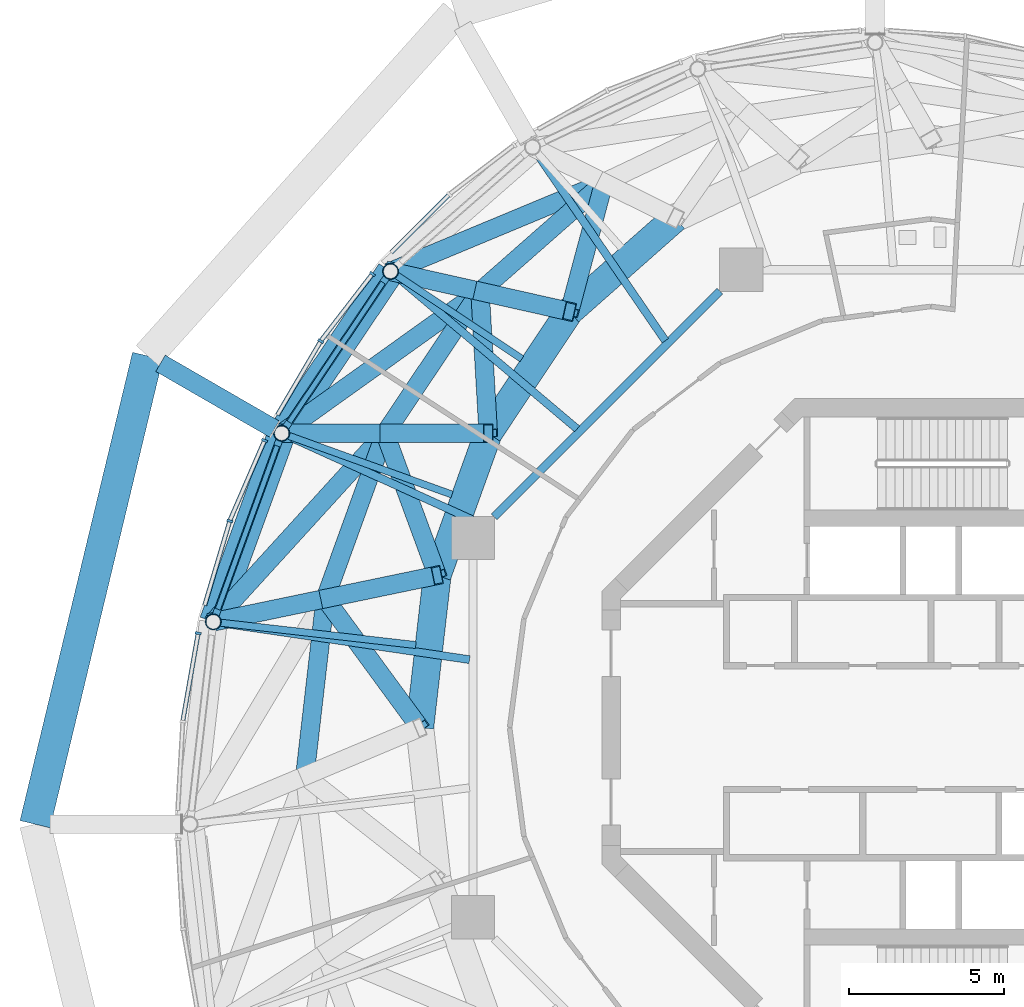
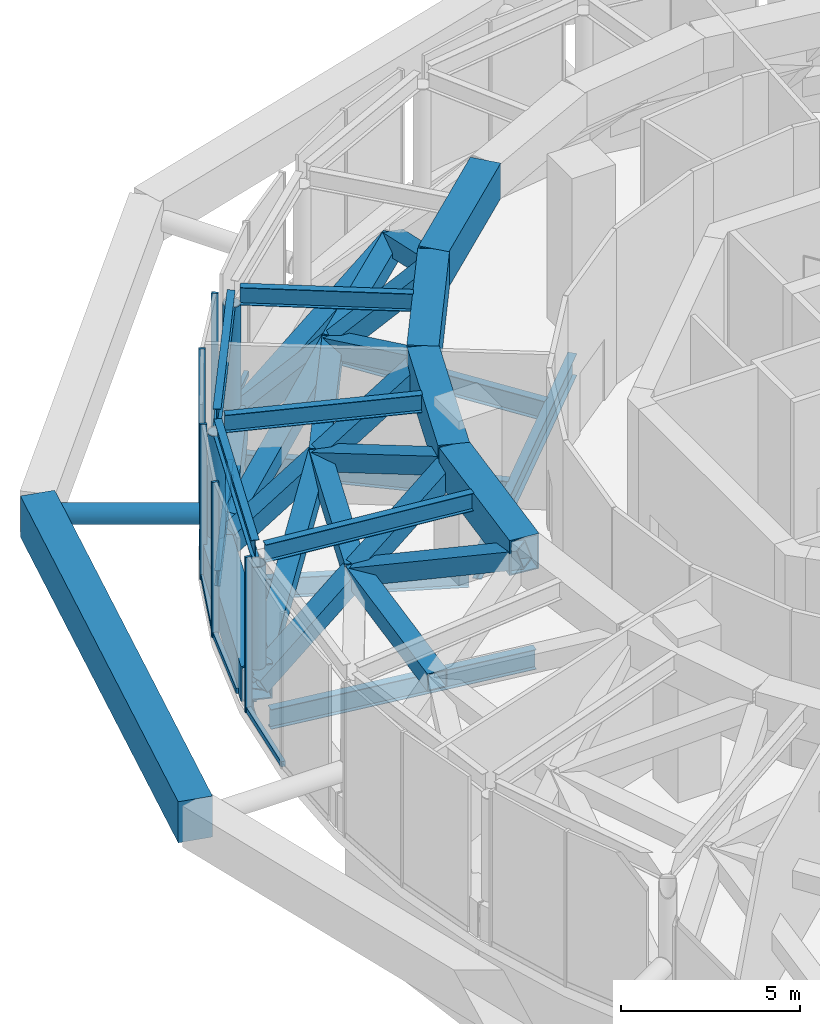
# One storey, part 7 of 22: 35 beams, 16 members, 6 elements without a shape of their own.
"""IFC4 building model written with IfcOpenShell, lengths in metres."""

from ifc_helpers import new_model, si_unit, direction, frame, origin, origin_2d, place, context, subcontext, project, spatial, rectangle, hollow_rectangle, hollow_circle, i_section, extrude, material, layer, layer_set, material_profile, profile_set, type_object, element, aggregate, save


model = new_model("IFC4")

# Units and contexts
model_context = context("Model", 3, precision=1e-05, world=origin(), true_north=direction((0.0, 1.0)))
body_context = subcontext(model_context, "Body", "Model", "MODEL_VIEW")
ifc_project = project(units=[si_unit("LENGTHUNIT", "METRE"), si_unit("AREAUNIT", "SQUARE_METRE"), si_unit("VOLUMEUNIT", "CUBIC_METRE"), si_unit("PLANEANGLEUNIT", "RADIAN"), si_unit("MASSUNIT", "GRAM", prefix="KILO")], contexts=[model_context])

# Site, building, storey
site_placement = place(None, origin())
site = spatial("IfcSite", under=ifc_project, at=site_placement, CompositionType="ELEMENT")
building_placement = place(site_placement, origin())
building = spatial("IfcBuilding", under=site, at=building_placement, Name="Nagisa Residences", CompositionType="ELEMENT")
storey_placement = place(building_placement, frame((0.0, 0.0, 310.300048828125)))
storey = spatial("IfcBuildingStorey", under=building, at=storey_placement, Name="L77", CompositionType="ELEMENT", Elevation=310.300048828125)

# Beams
ifc_material_1 = material(Name="Steel ASTM A572 Gr 50", Category="steel")
ifc_material_profile_1 = material_profile(ifc_material_1, hollow_rectangle(XDim=0.60009765625, YDim=0.60009765625, WallThickness=0.034912109375, at=origin_2d()), Name="BX 600x600x35")
ifc_profile_set_1 = profile_set([ifc_material_profile_1], Name="Steel ASTM A572 Gr 50")
beam_type_1 = type_object("IfcBeamType", Name="Belt chord 6 BX 600x600x35", PredefinedType="BEAM", material=ifc_profile_set_1)
beam_1_placement = place(storey_placement, frame((-10.554931640625, 17.59765625, 2.64990234375), z_axis=(-0.751083596494, -0.660207112259, 0.0), x_axis=(0.660207112259, -0.751083596494, 0.0)))
element("IfcBeam", 1, at=beam_1_placement, inside=storey, type_object=beam_type_1, Name="beam:L77:bt6m09", PredefinedType="BEAM", context=body_context, shape_type="SweptSolid", body=[
    extrude(hollow_rectangle(XDim=0.60009765625, YDim=0.60009765625, WallThickness=0.034912109375, at=origin_2d()), origin(), (0.0, 0.0, 1.0), 5.32470703125),
])
beam_2_placement = place(storey_placement, frame((-14.55419921875, 14.082275390625, 2.64990234375), z_axis=(-0.556558433262, -0.830808467918, 0.0), x_axis=(0.830808467918, -0.556558433262, 0.0)))
element("IfcBeam", 2, at=beam_2_placement, inside=storey, type_object=beam_type_1, Name="beam:L77:bt6m10", PredefinedType="BEAM", context=body_context, shape_type="SweptSolid", body=[
    extrude(hollow_rectangle(XDim=0.60009765625, YDim=0.60009765625, WallThickness=0.034912109375, at=origin_2d()), origin(), (0.0, 0.0, 1.0), 5.513916015625),
])
beam_3_placement = place(storey_placement, frame((-17.623046875, 9.501220703125, 2.64990234375), z_axis=(-0.340025147767, -0.940416343375, 0.0), x_axis=(0.940416343375, -0.340025147767, 0.0)))
element("IfcBeam", 3, at=beam_3_placement, inside=storey, type_object=beam_type_1, Name="beam:L77:bt6m11", PredefinedType="BEAM", context=body_context, shape_type="SweptSolid", body=[
    extrude(hollow_rectangle(XDim=0.60009765625, YDim=0.60009765625, WallThickness=0.034912109375, at=origin_2d()), origin(), (0.0, 0.0, 1.0), 5.673095703125),
])
beam_4_placement = place(storey_placement, frame((-19.552001953125, 4.166259765625, 2.64990234375), z_axis=(-0.114173851429, -0.99346078516, 0.0), x_axis=(0.99346078516, -0.114173851429, 0.0)))
element("IfcBeam", 4, at=beam_4_placement, inside=storey, type_object=beam_type_1, Name="beam:L77:bt6m12", PredefinedType="BEAM", context=body_context, shape_type="SweptSolid", body=[
    extrude(hollow_rectangle(XDim=0.60009765625, YDim=0.60009765625, WallThickness=0.034912109375, at=origin_2d()), origin(), (0.0, 0.0, 1.0), 5.7626953125),
])
ifc_material_2 = material(Name="Steel ASTM A572 Gr 50", Category="steel")
ifc_material_profile_2 = material_profile(ifc_material_2, hollow_rectangle(XDim=0.89990234375, YDim=1.199951171875, WallThickness=0.0400390625, at=origin_2d()), Name="BX 900x1200x40")
ifc_profile_set_2 = profile_set([ifc_material_profile_2], Name="Steel ASTM A572 Gr 50")
beam_type_2 = type_object("IfcBeamType", Name="Belt chord 6 BX 900x1200x40", PredefinedType="BEAM", material=ifc_profile_set_2)
beam_5_placement = place(storey_placement, frame((-8.25, 16.45458984375, 4.699951171875), z_axis=(-0.749367388162, -0.662154451438, 0.0), x_axis=(0.662154451438, -0.749367388162, 0.0)))
element("IfcBeam", 5, at=beam_5_placement, inside=storey, type_object=beam_type_2, Name="beam:L77:bt6t09", PredefinedType="BEAM", context=body_context, shape_type="SweptSolid", body=[
    extrude(hollow_rectangle(XDim=0.89990234375, YDim=1.199951171875, WallThickness=0.0400390625, at=origin_2d()), origin(), (0.0, 0.0, 1.0), 4.56005859375),
])
beam_6_placement = place(storey_placement, frame((-17.441162109375, 14.729736328125, 0.599853515625), z_axis=(-0.558031639604, -0.8298196727, 0.0), x_axis=(0.8298196727, -0.558031639604, 0.0)))
element("IfcBeam", 6, at=beam_6_placement, inside=storey, type_object=beam_type_2, Name="beam:L77:bt6b10", PredefinedType="BEAM", context=body_context, shape_type="SweptSolid", body=[
    extrude(hollow_rectangle(XDim=0.89990234375, YDim=1.199951171875, WallThickness=0.0400390625, at=origin_2d()), origin(), (0.0, 0.0, 1.0), 6.299560546875),
])
beam_7_placement = place(storey_placement, frame((-11.667236328125, 13.43505859375, 4.699951171875), z_axis=(-0.554509546669, -0.832177362497, 0.0), x_axis=(0.832177362497, -0.554509546669, 0.0)))
element("IfcBeam", 7, at=beam_7_placement, inside=storey, type_object=beam_type_2, Name="beam:L77:bt6t10", PredefinedType="BEAM", context=body_context, shape_type="SweptSolid", body=[
    extrude(hollow_rectangle(XDim=0.89990234375, YDim=1.199951171875, WallThickness=0.0400390625, at=origin_2d()), origin(), (0.0, 0.0, 1.0), 4.728515625),
])
beam_8_placement = place(storey_placement, frame((-20.95654296875, 9.502197265625, 0.599853515625), z_axis=(-0.341213297121, -0.939985896632, 0.0), x_axis=(0.939985896632, -0.341213297121, 0.0)))
element("IfcBeam", 8, at=beam_8_placement, inside=storey, type_object=beam_type_2, Name="beam:L77:bt6b11", PredefinedType="BEAM", context=body_context, shape_type="SweptSolid", body=[
    extrude(hollow_rectangle(XDim=0.89990234375, YDim=1.199951171875, WallThickness=0.0400390625, at=origin_2d()), origin(), (0.0, 0.0, 1.0), 6.47607421875),
])
beam_9_placement = place(storey_placement, frame((-14.289306640625, 9.5, 4.699951171875), z_axis=(-0.338488682224, -0.940970462877, 0.0), x_axis=(0.940970462877, -0.338488682224, 0.0)))
element("IfcBeam", 9, at=beam_9_placement, inside=storey, type_object=beam_type_2, Name="beam:L77:bt6t11", PredefinedType="BEAM", context=body_context, shape_type="SweptSolid", body=[
    extrude(hollow_rectangle(XDim=0.89990234375, YDim=1.199951171875, WallThickness=0.0400390625, at=origin_2d()), origin(), (0.0, 0.0, 1.0), 4.869873046875),
])
beam_10_placement = place(storey_placement, frame((-15.937744140625, 4.91748046875, 4.699951171875), z_axis=(-0.113598063475, -0.993526788756, 0.0), x_axis=(0.993526788756, -0.113598063475, 0.0)))
element("IfcBeam", 10, at=beam_10_placement, inside=storey, type_object=beam_type_2, Name="beam:L77:bt6t12", PredefinedType="BEAM", context=body_context, shape_type="SweptSolid", body=[
    extrude(hollow_rectangle(XDim=0.89990234375, YDim=1.199951171875, WallThickness=0.0400390625, at=origin_2d()), origin(), (0.0, 0.0, 1.0), 4.949462890625),
])
ifc_material_3 = material(Name="Steel ASTM A572 Gr 50", Category="steel")
ifc_material_profile_3 = material_profile(ifc_material_3, hollow_rectangle(XDim=0.60009765625, YDim=0.60009765625, WallThickness=0.034912109375, at=origin_2d()), Name="BX 600x600x35")
ifc_profile_set_3 = profile_set([ifc_material_profile_3], Name="Steel ASTM A572 Gr 50")
beam_type_3 = type_object("IfcBeamType", Name="Belt diagonal 6 BX 600x600x35", PredefinedType="BEAM", material=ifc_profile_set_3)
beam_11_placement = place(storey_placement, frame((-17.441162109375, 14.729736328125, 0.599853515625), z_axis=(0.890137979794, 0.370717253373, 0.264996405599), x_axis=(-0.384462000649, 0.923140818108, 0.0)))
element("IfcBeam", 11, at=beam_11_placement, inside=storey, type_object=beam_type_3, Name="beam:L77:bt6lb09", PredefinedType="BEAM", context=body_context, shape_type="SweptSolid", body=[
    extrude(hollow_rectangle(XDim=0.60009765625, YDim=0.60009765625, WallThickness=0.034912109375, at=origin_2d()), origin(), (0.0, 0.0, 1.0), 7.736083984375),
])
beam_12_placement = place(storey_placement, frame((-10.554931640625, 17.59765625, 2.64990234375), z_axis=(-0.233114623073, -0.872389008647, 0.429645190945), x_axis=(0.966103148525, -0.258156360392, 0.0)))
element("IfcBeam", 12, at=beam_12_placement, inside=storey, type_object=beam_type_3, Name="beam:L77:bt6ub09", PredefinedType="BEAM", context=body_context, shape_type="SweptSolid", body=[
    extrude(hollow_rectangle(XDim=0.60009765625, YDim=0.60009765625, WallThickness=0.034912109375, at=origin_2d()), origin(), (0.0, 0.0, 1.0), 4.771484375),
])
beam_13_placement = place(storey_placement, frame((-17.441162109375, 14.729736328125, 0.599853515625), z_axis=(0.802043663719, -0.179874824201, 0.569535783869), x_axis=(0.218834728316, 0.975761939042, 0.0)))
element("IfcBeam", 13, at=beam_13_placement, inside=storey, type_object=beam_type_3, Name="beam:L77:bt6la10", PredefinedType="BEAM", context=body_context, shape_type="SweptSolid", body=[
    extrude(hollow_rectangle(XDim=0.60009765625, YDim=0.60009765625, WallThickness=0.034912109375, at=origin_2d()), origin(), (0.0, 0.0, 1.0), 3.599609375),
])
beam_14_placement = place(storey_placement, frame((-20.95654296875, 9.502197265625, 0.599853515625), z_axis=(0.787062113249, 0.563044739344, 0.252019545643), x_axis=(-0.581824796142, 0.813314150002, 0.0)))
element("IfcBeam", 14, at=beam_14_placement, inside=storey, type_object=beam_type_3, Name="beam:L77:bt6lb10", PredefinedType="BEAM", context=body_context, shape_type="SweptSolid", body=[
    extrude(hollow_rectangle(XDim=0.60009765625, YDim=0.60009765625, WallThickness=0.034912109375, at=origin_2d()), origin(), (0.0, 0.0, 1.0), 8.134521484375),
])
beam_15_placement = place(storey_placement, frame((-14.55419921875, 14.082275390625, 2.64990234375), z_axis=(0.802053447153, -0.179809191408, 0.569542731141), x_axis=(0.218756160943, 0.975779556073, 0.0)))
element("IfcBeam", 15, at=beam_15_placement, inside=storey, type_object=beam_type_3, Name="beam:L77:bt6ua10", PredefinedType="BEAM", context=body_context, shape_type="SweptSolid", body=[
    extrude(hollow_rectangle(XDim=0.60009765625, YDim=0.60009765625, WallThickness=0.034912109375, at=origin_2d()), origin(), (0.0, 0.0, 1.0), 3.599365234375),
])
beam_16_placement = place(storey_placement, frame((-14.55419921875, 14.082275390625, 2.64990234375), z_axis=(0.052694607283, -0.911543856307, 0.407812550557), x_axis=(0.998333288662, 0.057711738409, 0.0)))
element("IfcBeam", 16, at=beam_16_placement, inside=storey, type_object=beam_type_3, Name="beam:L77:bt6ub10", PredefinedType="BEAM", context=body_context, shape_type="SweptSolid", body=[
    extrude(hollow_rectangle(XDim=0.60009765625, YDim=0.60009765625, WallThickness=0.034912109375, at=origin_2d()), origin(), (0.0, 0.0, 1.0), 5.02685546875),
])
beam_17_placement = place(storey_placement, frame((-20.95654296875, 9.502197265625, 0.599853515625), z_axis=(0.851810335493, -0.000249541625, 0.523850255393), x_axis=(0.000292954433, 0.999999957089, 0.0)))
element("IfcBeam", 17, at=beam_17_placement, inside=storey, type_object=beam_type_3, Name="beam:L77:bt6la11", PredefinedType="BEAM", context=body_context, shape_type="SweptSolid", body=[
    extrude(hollow_rectangle(XDim=0.60009765625, YDim=0.60009765625, WallThickness=0.034912109375, at=origin_2d()), origin(), (0.0, 0.0, 1.0), 3.913330078125),
])
beam_18_placement = place(storey_placement, frame((-23.166259765625, 3.414794921875, 0.599853515625), z_axis=(0.653389672582, 0.717419270534, 0.241643386068), x_axis=(-0.739329199653, 0.673344142724, 0.0)))
element("IfcBeam", 18, at=beam_18_placement, inside=storey, type_object=beam_type_3, Name="beam:L77:bt6lb11", PredefinedType="BEAM", context=body_context, shape_type="SweptSolid", body=[
    extrude(hollow_rectangle(XDim=0.60009765625, YDim=0.60009765625, WallThickness=0.034912109375, at=origin_2d()), origin(), (0.0, 0.0, 1.0), 8.48388671875),
])
beam_19_placement = place(storey_placement, frame((-17.623046875, 9.501220703125, 2.64990234375), z_axis=(0.851827438962, -0.00031191045, 0.523822409737), x_axis=(0.000366166215, 0.999999932961, 0.0)))
element("IfcBeam", 19, at=beam_19_placement, inside=storey, type_object=beam_type_3, Name="beam:L77:bt6ua11", PredefinedType="BEAM", context=body_context, shape_type="SweptSolid", body=[
    extrude(hollow_rectangle(XDim=0.60009765625, YDim=0.60009765625, WallThickness=0.034912109375, at=origin_2d()), origin(), (0.0, 0.0, 1.0), 3.91357421875),
])
beam_20_placement = place(storey_placement, frame((-17.623046875, 9.501220703125, 2.64990234375), z_axis=(0.318187760638, -0.865417239748, 0.3870523868), x_axis=(0.938571648443, 0.345084425523, 0.0)))
element("IfcBeam", 20, at=beam_20_placement, inside=storey, type_object=beam_type_3, Name="beam:L77:bt6ub11", PredefinedType="BEAM", context=body_context, shape_type="SweptSolid", body=[
    extrude(hollow_rectangle(XDim=0.60009765625, YDim=0.60009765625, WallThickness=0.034912109375, at=origin_2d()), origin(), (0.0, 0.0, 1.0), 5.296630859375),
])
for number, where, z_axis, x_axis, name in (
    (21, (-23.166259765625, 3.414794921875, 0.599853515625), (0.855934044878, 0.177963049861, 0.485495688655), (-0.203563370409, 0.979061772427, 0.0), "beam:L77:bt6la12"),
    (22, (-19.552001953125, 4.166259765625, 2.64990234375), (0.855942850652, 0.177907062379, 0.485500683391), (-0.203499974683, 0.979074951321, 0.0), "beam:L77:bt6ua12"),
):
    element("IfcBeam", number, at=place(storey_placement, frame(where, z_axis=z_axis, x_axis=x_axis)), inside=storey, type_object=beam_type_3, Name=name, PredefinedType="BEAM", context=body_context, shape_type="SweptSolid", body=[
        extrude(hollow_rectangle(XDim=0.60009765625, YDim=0.60009765625, WallThickness=0.034912109375, at=origin_2d()), origin(), (0.0, 0.0, 1.0), 4.22265625),
    ])
beam_21_placement = place(storey_placement, frame((-19.552001953125, 4.166259765625, 2.64990234375), z_axis=(0.549263024088, -0.749793896974, 0.368943413589), x_axis=(0.806705468375, 0.590953709942, 0.0)))
element("IfcBeam", 23, at=beam_21_placement, inside=storey, type_object=beam_type_3, Name="beam:L77:bt6ub12", PredefinedType="BEAM", context=body_context, shape_type="SweptSolid", body=[
    extrude(hollow_rectangle(XDim=0.60009765625, YDim=0.60009765625, WallThickness=0.034912109375, at=origin_2d()), origin(), (0.0, 0.0, 1.0), 5.556640625),
])

# Curtain wall, member
ifc_material_4 = material(Name="Aluminium curtain wall system", Category="aluminium")
ifc_layer = layer(ifc_material_4, 0.159912109375)
ifc_layer_set = layer_set([ifc_layer], Name="CW2 CURTAIN WALL")
curtain_wall_type = type_object("IfcCurtainWallType", Name="CW2 CURTAIN WALL", PredefinedType="NOTDEFINED", material=ifc_layer_set)
curtain_wall_1_placement = place(storey_placement, origin())
curtain_wall_1 = element("IfcCurtainWall", 24, at=curtain_wall_1_placement, inside=storey, type_object=curtain_wall_type, Name="cw:CW2:L77:18", PredefinedType="NOTDEFINED")
ifc_material_5 = material(Name="Aluminium", Category="aluminium")
ifc_material_profile_4 = material_profile(ifc_material_5, rectangle(XDim=0.199951171875, YDim=0.080078125, at=origin_2d()), Name="CW2 MULLION 200x80")
ifc_profile_set_4 = profile_set([ifc_material_profile_4], Name="Aluminium")
member_type_1 = type_object("IfcMemberType", Name="CW2 MULLION 200x80", PredefinedType="MULLION", material=ifc_profile_set_4)
member_1_placement = place(storey_placement, frame((-18.030517578125, 14.646240234375, 0.0), z_axis=(0.0, 0.0, 1.0), x_axis=(0.792070340816, -0.610429828235, 0.0)))
member_1 = element("IfcMember", 25, at=member_1_placement, type_object=member_type_1, Name="CW2 mullion", PredefinedType="MULLION", context=body_context, shape_type="SweptSolid", body=[
    extrude(rectangle(XDim=0.199951171875, YDim=0.080078125, at=origin_2d()), origin(), (0.0, 0.0, 1.0), 5.300048828125),
])

curtain_wall_2_placement = place(storey_placement, origin())
curtain_wall_2 = element("IfcCurtainWall", 26, at=curtain_wall_2_placement, inside=storey, type_object=curtain_wall_type, Name="cw:CW2:L77:19", PredefinedType="NOTDEFINED")
member_2_placement = place(storey_placement, frame((-19.697021484375, 12.476806640625, 0.0), z_axis=(0.0, 0.0, 1.0), x_axis=(0.862328898214, -0.506348567002, 0.0)))
member_2 = element("IfcMember", 27, at=member_2_placement, type_object=member_type_1, Name="CW2 mullion", PredefinedType="MULLION", context=body_context, shape_type="SweptSolid", body=[
    extrude(rectangle(XDim=0.199951171875, YDim=0.080078125, at=origin_2d()), origin(), (0.0, 0.0, 1.0), 5.300048828125),
])

curtain_wall_3_placement = place(storey_placement, origin())
curtain_wall_3 = element("IfcCurtainWall", 28, at=curtain_wall_3_placement, inside=storey, type_object=curtain_wall_type, Name="cw:CW2:L77:20", PredefinedType="NOTDEFINED")
member_3_placement = place(storey_placement, frame((-21.510986328125, 9.27099609375, 0.0), z_axis=(0.0, 0.0, 1.0), x_axis=(0.917543276295, -0.397635934147, 0.0)))
member_3 = element("IfcMember", 29, at=member_3_placement, type_object=member_type_1, Name="CW2 mullion", PredefinedType="MULLION", context=body_context, shape_type="SweptSolid", body=[
    extrude(rectangle(XDim=0.199951171875, YDim=0.080078125, at=origin_2d()), origin(), (0.0, 0.0, 1.0), 5.300048828125),
])

curtain_wall_4_placement = place(storey_placement, origin())
curtain_wall_4 = element("IfcCurtainWall", 30, at=curtain_wall_4_placement, inside=storey, type_object=curtain_wall_type, Name="cw:CW2:L77:21", PredefinedType="NOTDEFINED")
member_4_placement = place(storey_placement, frame((-22.6328125, 6.67138671875, 0.0), z_axis=(0.0, 0.0, 1.0), x_axis=(0.958271310082, -0.285860274038, 0.0)))
member_4 = element("IfcMember", 31, at=member_4_placement, type_object=member_type_1, Name="CW2 mullion", PredefinedType="MULLION", context=body_context, shape_type="SweptSolid", body=[
    extrude(rectangle(XDim=0.199951171875, YDim=0.080078125, at=origin_2d()), origin(), (0.0, 0.0, 1.0), 5.300048828125),
])

curtain_wall_5_placement = place(storey_placement, origin())
curtain_wall_5 = element("IfcCurtainWall", 32, at=curtain_wall_5_placement, inside=storey, type_object=curtain_wall_type, Name="cw:CW2:L77:22", PredefinedType="NOTDEFINED")
member_5_placement = place(storey_placement, frame((-23.65478515625, 3.0478515625, 0.0), z_axis=(0.0, 0.0, 1.0), x_axis=(0.985063604377, -0.172190868898, 0.0)))
member_5 = element("IfcMember", 33, at=member_5_placement, type_object=member_type_1, Name="CW2 mullion", PredefinedType="MULLION", context=body_context, shape_type="SweptSolid", body=[
    extrude(rectangle(XDim=0.199951171875, YDim=0.080078125, at=origin_2d()), origin(), (0.0, 0.0, 1.0), 5.300048828125),
])

curtain_wall_6_placement = place(storey_placement, origin())
curtain_wall_6 = element("IfcCurtainWall", 34, at=curtain_wall_6_placement, inside=storey, type_object=curtain_wall_type, Name="cw:CW2:L77:17", PredefinedType="NOTDEFINED")
ifc_material_6 = material(Name="Aluminium", Category="aluminium")
ifc_material_profile_5 = material_profile(ifc_material_6, rectangle(XDim=0.139892578125, YDim=0.179931640625, at=origin_2d()), Name="CW2 TRANSOM 140x180")
ifc_profile_set_5 = profile_set([ifc_material_profile_5], Name="Aluminium")
member_type_2 = type_object("IfcMemberType", Name="CW2 TRANSOM 140x180", PredefinedType="USERDEFINED", material=ifc_profile_set_5)
member_6_placement = place(storey_placement, frame((-15.513671875, 17.24658203125, 0.08984375), z_axis=(-0.707831739508, -0.706381078841, 0.0), x_axis=(0.706381078841, -0.707831739508, 0.0)))
member_6 = element("IfcMember", 35, at=member_6_placement, type_object=member_type_2, Name="CW2 transom", ObjectType="TRANSOM", PredefinedType="USERDEFINED", context=body_context, shape_type="SweptSolid", body=[
    extrude(rectangle(XDim=0.139892578125, YDim=0.179931640625, at=origin_2d()), origin(), (0.0, 0.0, 1.0), 2.692626953125),
])
aggregate(curtain_wall_6, [member_6])

# Member
member_7_placement = place(storey_placement, frame((-18.006103515625, 14.677978515625, 0.08984375), z_axis=(-0.610432336622, -0.792068407656, 0.0), x_axis=(0.792068407656, -0.610432336622, 0.0)))
member_7 = element("IfcMember", 36, at=member_7_placement, type_object=member_type_2, Name="CW2 transom", ObjectType="TRANSOM", PredefinedType="USERDEFINED", context=body_context, shape_type="SweptSolid", body=[
    extrude(rectangle(XDim=0.139892578125, YDim=0.179931640625, at=origin_2d()), origin(), (0.0, 0.0, 1.0), 2.74609375),
])

aggregate(curtain_wall_1, [member_1, member_7])

member_8_placement = place(storey_placement, frame((-19.6767578125, 12.51123046875, 0.08984375), z_axis=(-0.506371364425, -0.862315511452, 0.0), x_axis=(0.862315511452, -0.506371364425, 0.0)))
member_8 = element("IfcMember", 37, at=member_8_placement, type_object=member_type_2, Name="CW2 transom", ObjectType="TRANSOM", PredefinedType="USERDEFINED", context=body_context, shape_type="SweptSolid", body=[
    extrude(rectangle(XDim=0.139892578125, YDim=0.179931640625, at=origin_2d()), origin(), (0.0, 0.0, 1.0), 2.79638671875),
])

aggregate(curtain_wall_2, [member_2, member_8])

member_9_placement = place(storey_placement, frame((-21.4951171875, 9.3076171875, 0.08984375), z_axis=(-0.397597791596, -0.9175598052, 0.0), x_axis=(0.9175598052, -0.397597791596, 0.0)))
member_9 = element("IfcMember", 38, at=member_9_placement, type_object=member_type_2, Name="CW2 transom", ObjectType="TRANSOM", PredefinedType="USERDEFINED", context=body_context, shape_type="SweptSolid", body=[
    extrude(rectangle(XDim=0.139892578125, YDim=0.179931640625, at=origin_2d()), origin(), (0.0, 0.0, 1.0), 2.841064453125),
])

aggregate(curtain_wall_3, [member_3, member_9])

member_10_placement = place(storey_placement, frame((-22.62158203125, 6.709716796875, 0.08984375), z_axis=(-0.285798286059, -0.958289799427, 0.0), x_axis=(0.958289799427, -0.285798286059, 0.0)))
member_10 = element("IfcMember", 39, at=member_10_placement, type_object=member_type_2, Name="CW2 transom", ObjectType="TRANSOM", PredefinedType="USERDEFINED", context=body_context, shape_type="SweptSolid", body=[
    extrude(rectangle(XDim=0.139892578125, YDim=0.179931640625, at=origin_2d()), origin(), (0.0, 0.0, 1.0), 2.877197265625),
])

aggregate(curtain_wall_4, [member_4, member_10])

member_11_placement = place(storey_placement, frame((-23.64794921875, 3.087158203125, 0.08984375), z_axis=(-0.172196679668, -0.985062588626, 0.0), x_axis=(0.985062588626, -0.172196679668, 0.0)))
member_11 = element("IfcMember", 40, at=member_11_placement, type_object=member_type_2, Name="CW2 transom", ObjectType="TRANSOM", PredefinedType="USERDEFINED", context=body_context, shape_type="SweptSolid", body=[
    extrude(rectangle(XDim=0.139892578125, YDim=0.179931640625, at=origin_2d()), origin(), (0.0, 0.0, 1.0), 2.90234375),
])

aggregate(curtain_wall_5, [member_5, member_11])

# Members
ifc_material_7 = material(Name="Concrete C80", Category="concrete")
ifc_material_profile_6 = material_profile(ifc_material_7, rectangle(XDim=1.0, YDim=1.39990234375, at=origin_2d()), Name="C80 1000x1400")
ifc_profile_set_6 = profile_set([ifc_material_profile_6], Name="Concrete C80")
member_type_3 = type_object("IfcMemberType", Name="Cage ring 6 C80 1000x1400", PredefinedType="CHORD", material=ifc_profile_set_6)
member_12_placement = place(storey_placement, frame((-25.28662109375, 12.002197265625, 1.89990234375), z_axis=(-0.233648466301, -0.97232113738, 0.0), x_axis=(0.97232113738, -0.233648466301, 0.0)))
element("IfcMember", 41, at=member_12_placement, inside=storey, type_object=member_type_3, Name="beam:L77:cg6r106", PredefinedType="CHORD", context=body_context, shape_type="SweptSolid", body=[
    extrude(rectangle(XDim=1.0, YDim=1.39990234375, at=origin_2d()), origin(), (0.0, 0.0, 1.0), 15.55029296875),
])
ifc_material_8 = material(Name="Steel ASTM A572 Gr 65", Category="steel")
ifc_material_profile_7 = material_profile(ifc_material_8, hollow_circle(Radius=0.304931640625, WallThickness=0.02490234375, at=origin_2d()), Name="CHS 610x25")
ifc_profile_set_7 = profile_set([ifc_material_profile_7], Name="Steel ASTM A572 Gr 65")
member_type_4 = type_object("IfcMemberType", Name="Cage strut CHS 610x25", PredefinedType="STRUT", material=ifc_profile_set_7)
member_13_placement = place(storey_placement, frame((-24.870849609375, 11.76220703125, 1.89990234375), z_axis=(0.866037165978, -0.49997962673, 0.0), x_axis=(0.49997962673, 0.866037165978, 0.0)))
element("IfcMember", 42, at=member_13_placement, inside=storey, type_object=member_type_4, Name="mem:L77:cg6tie06", PredefinedType="STRUT", context=body_context, shape_type="SweptSolid", body=[
    extrude(hollow_circle(Radius=0.304931640625, WallThickness=0.02490234375, at=origin_2d()), origin(), (0.0, 0.0, 1.0), 4.245849609375),
])

# Beams
ifc_material_9 = material(Name="Steel ASTM A572 Gr 50", Category="steel")
ifc_material_profile_8 = material_profile(ifc_material_9, i_section(OverallWidth=0.22802734375, OverallDepth=0.60302734375, WebThickness=0.010498046875, FlangeThickness=0.014892578125, at=origin_2d()), Name="W610x101")
ifc_profile_set_8 = profile_set([ifc_material_profile_8], Name="Steel ASTM A572 Gr 50")
beam_type_4 = type_object("IfcBeamType", Name="Garden edge beam W610x101", PredefinedType="BEAM", material=ifc_profile_set_8)
beam_22_placement = place(storey_placement, frame((-17.57177734375, 14.535400390625, 4.99853515625), z_axis=(-0.558048292163, -0.829808474055, 0.0), x_axis=(0.829808474055, -0.558048292163, 0.0)))
element("IfcBeam", 43, at=beam_22_placement, inside=storey, type_object=beam_type_4, Name="beam:L77:bt6ge10", PredefinedType="BEAM", context=body_context, shape_type="SweptSolid", body=[
    extrude(i_section(OverallWidth=0.22802734375, OverallDepth=0.60302734375, WebThickness=0.010498046875, FlangeThickness=0.014892578125, at=origin_2d()), origin(), (0.0, 0.0, 1.0), 5.831298828125),
])
beam_23_placement = place(storey_placement, frame((-21.036376953125, 9.282470703125, 4.99853515625), z_axis=(-0.341204679123, -0.939989024907, 0.0), x_axis=(0.939989024907, -0.341204679123, 0.0)))
element("IfcBeam", 44, at=beam_23_placement, inside=storey, type_object=beam_type_4, Name="beam:L77:bt6ge11", PredefinedType="BEAM", context=body_context, shape_type="SweptSolid", body=[
    extrude(i_section(OverallWidth=0.22802734375, OverallDepth=0.60302734375, WebThickness=0.010498046875, FlangeThickness=0.014892578125, at=origin_2d()), origin(), (0.0, 0.0, 1.0), 6.00830078125),
])

# Members
ifc_material_10 = material(Name="Steel ASTM A572 Gr 65", Category="steel")
ifc_material_profile_9 = material_profile(ifc_material_10, hollow_circle(Radius=0.25390625, WallThickness=0.02001953125, at=origin_2d()), Name="CHS 508x20")
ifc_profile_set_9 = profile_set([ifc_material_profile_9], Name="Steel ASTM A572 Gr 65")
member_type_5 = type_object("IfcMemberType", Name="Garden edge post CHS 508x20", PredefinedType="POST", material=ifc_profile_set_9)
for number, where, z_axis, x_axis, name in (
    (45, (-17.441162109375, 14.729736328125, 1.199951171875), (0.0, 0.0, 1.0), (1.0, 0.0, 0.0), "mem:L77:gp610"),
    (46, (-20.95654296875, 9.502197265625, 1.199951171875), (0.0, 0.0, 1.0), (1.0, 0.0, 0.0), "mem:L77:gp611"),
    (47, (-23.166259765625, 3.414794921875, 1.199951171875), (0.0, 0.0, 1.0), (1.0, 0.0, 0.0), "mem:L77:gp612"),
):
    element("IfcMember", number, at=place(storey_placement, frame(where, z_axis=z_axis, x_axis=x_axis)), inside=storey, type_object=member_type_5, Name=name, PredefinedType="POST", context=body_context, shape_type="SweptSolid", body=[
        extrude(hollow_circle(Radius=0.25390625, WallThickness=0.02001953125, at=origin_2d()), origin(), (0.0, 0.0, 1.0), 3.4970703125),
    ])

# Beams
ifc_material_11 = material(Name="Steel ASTM A572 Gr 50", Category="steel")
ifc_material_profile_10 = material_profile(ifc_material_11, i_section(OverallWidth=0.22802734375, OverallDepth=0.60302734375, WebThickness=0.010498046875, FlangeThickness=0.014892578125, at=origin_2d()), Name="W610x101")
ifc_profile_set_10 = profile_set([ifc_material_profile_10], Name="Steel ASTM A572 Gr 50")
beam_type_5 = type_object("IfcBeamType", Name="Garden radial beam W610x101", PredefinedType="BEAM", material=ifc_profile_set_10)
beam_24_placement = place(storey_placement, frame((-17.24658203125, 14.599853515625, 4.99853515625), z_axis=(0.832173956072, -0.55451465881, 0.0), x_axis=(0.55451465881, 0.832173956072, 0.0)))
element("IfcBeam", 48, at=beam_24_placement, inside=storey, type_object=beam_type_5, Name="beam:L77:bt6gr10", PredefinedType="BEAM", context=body_context, shape_type="SweptSolid", body=[
    extrude(i_section(OverallWidth=0.22802734375, OverallDepth=0.60302734375, WebThickness=0.010498046875, FlangeThickness=0.014892578125, at=origin_2d()), origin(), (0.0, 0.0, 1.0), 4.85888671875),
])
beam_25_placement = place(storey_placement, frame((-20.736328125, 9.423095703125, 4.99853515625), z_axis=(0.940979462335, -0.338463663431, 0.0), x_axis=(0.338463663431, 0.940979462335, 0.0)))
element("IfcBeam", 49, at=beam_25_placement, inside=storey, type_object=beam_type_5, Name="beam:L77:bt6gr11", PredefinedType="BEAM", context=body_context, shape_type="SweptSolid", body=[
    extrude(i_section(OverallWidth=0.22802734375, OverallDepth=0.60302734375, WebThickness=0.010498046875, FlangeThickness=0.014892578125, at=origin_2d()), origin(), (0.0, 0.0, 1.0), 5.6103515625),
])
beam_26_placement = place(storey_placement, frame((-22.933837890625, 3.388427734375, 4.99853515625), z_axis=(0.993527836435, -0.113588900112, 0.0), x_axis=(0.113588900112, 0.993527836435, 0.0)))
element("IfcBeam", 50, at=beam_26_placement, inside=storey, type_object=beam_type_5, Name="beam:L77:bt6gr12", PredefinedType="BEAM", context=body_context, shape_type="SweptSolid", body=[
    extrude(i_section(OverallWidth=0.22802734375, OverallDepth=0.60302734375, WebThickness=0.010498046875, FlangeThickness=0.014892578125, at=origin_2d()), origin(), (0.0, 0.0, 1.0), 6.346923828125),
])
ifc_material_12 = material(Name="Steel ASTM A572 Gr 50", Category="steel")
ifc_material_profile_11 = material_profile(ifc_material_12, i_section(OverallWidth=0.264892578125, OverallDepth=0.7529296875, WebThickness=0.01318359375, FlangeThickness=0.01708984375, at=origin_2d()), Name="W760x147")
ifc_profile_set_11 = profile_set([ifc_material_profile_11], Name="Steel ASTM A572 Gr 50")
beam_type_6 = type_object("IfcBeamType", Name="Inner ring beam W760x147", PredefinedType="BEAM", material=ifc_profile_set_11)
beam_27_placement = place(storey_placement, frame((-6.808837890625, 14.09619140625, -0.7265625), z_axis=(-0.707106781187, -0.707106781187, 0.0), x_axis=(0.707106781187, -0.707106781187, 0.0)))
element("IfcBeam", 51, at=beam_27_placement, inside=storey, type_object=beam_type_6, Name="beam:L77:ib3", PredefinedType="BEAM", context=body_context, shape_type="SweptSolid", body=[
    extrude(i_section(OverallWidth=0.264892578125, OverallDepth=0.7529296875, WebThickness=0.01318359375, FlangeThickness=0.01708984375, at=origin_2d()), origin(), (0.0, 0.0, 1.0), 10.305908203125),
])
ifc_material_13 = material(Name="Steel ASTM A572 Gr 50", Category="steel")
ifc_material_profile_12 = material_profile(ifc_material_13, i_section(OverallWidth=0.166015625, OverallDepth=0.534912109375, WebThickness=0.01025390625, FlangeThickness=0.0166015625, at=origin_2d()), Name="W530x85")
ifc_profile_set_12 = profile_set([ifc_material_profile_12], Name="Steel ASTM A572 Gr 50")
beam_type_7 = type_object("IfcBeamType", Name="Perimeter ring beam W530x85", PredefinedType="BEAM", material=ifc_profile_set_12)
beam_28_placement = place(storey_placement, frame((-17.683349609375, 14.36962890625, -0.617431640625), z_axis=(-0.558035477156, -0.829817092036, 0.0), x_axis=(0.829817092036, -0.558035477156, 0.0)))
element("IfcBeam", 52, at=beam_28_placement, inside=storey, type_object=beam_type_7, Name="beam:L77:pb10", PredefinedType="BEAM", context=body_context, shape_type="SweptSolid", body=[
    extrude(i_section(OverallWidth=0.166015625, OverallDepth=0.534912109375, WebThickness=0.01025390625, FlangeThickness=0.0166015625, at=origin_2d()), origin(), (0.0, 0.0, 1.0), 5.431884765625),
])
beam_29_placement = place(storey_placement, frame((-21.104248046875, 9.094970703125, -0.617431640625), z_axis=(-0.341250304478, -0.9399724622, 0.0), x_axis=(0.9399724622, -0.341250304478, 0.0)))
element("IfcBeam", 53, at=beam_29_placement, inside=storey, type_object=beam_type_7, Name="beam:L77:pb11", PredefinedType="BEAM", context=body_context, shape_type="SweptSolid", body=[
    extrude(i_section(OverallWidth=0.166015625, OverallDepth=0.534912109375, WebThickness=0.01025390625, FlangeThickness=0.0166015625, at=origin_2d()), origin(), (0.0, 0.0, 1.0), 5.609619140625),
])
ifc_material_14 = material(Name="Steel ASTM A572 Gr 50", Category="steel")
ifc_material_profile_13 = material_profile(ifc_material_14, i_section(OverallWidth=0.2529296875, OverallDepth=0.677978515625, WebThickness=0.01171875, FlangeThickness=0.016357421875, at=origin_2d()), Name="W690x125")
ifc_profile_set_13 = profile_set([ifc_material_profile_13], Name="Steel ASTM A572 Gr 50")
beam_type_8 = type_object("IfcBeamType", Name="Radial beam W690x125", PredefinedType="BEAM", material=ifc_profile_set_13)
beam_30_placement = place(storey_placement, frame((-12.64501953125, 18.427490234375, -0.68896484375), z_axis=(0.565811752689, -0.824534450778, 0.0), x_axis=(0.824534450778, 0.565811752689, 0.0)))
element("IfcBeam", 54, at=beam_30_placement, inside=storey, type_object=beam_type_8, Name="beam:L77:rb09", PredefinedType="BEAM", context=body_context, shape_type="SweptSolid", body=[
    extrude(i_section(OverallWidth=0.2529296875, OverallDepth=0.677978515625, WebThickness=0.01171875, FlangeThickness=0.016357421875, at=origin_2d()), origin(), (0.0, 0.0, 1.0), 7.197998046875),
])
beam_31_placement = place(storey_placement, frame((-17.15087890625, 14.484375, -0.68896484375), z_axis=(0.763989627991, -0.645228524108, 0.0), x_axis=(0.645228524108, 0.763989627991, 0.0)))
element("IfcBeam", 55, at=beam_31_placement, inside=storey, type_object=beam_type_8, Name="beam:L77:rb10", PredefinedType="BEAM", context=body_context, shape_type="SweptSolid", body=[
    extrude(i_section(OverallWidth=0.2529296875, OverallDepth=0.677978515625, WebThickness=0.01171875, FlangeThickness=0.016357421875, at=origin_2d()), origin(), (0.0, 0.0, 1.0), 7.50146484375),
])
beam_32_placement = place(storey_placement, frame((-20.610107421875, 9.34521484375, -0.68896484375), z_axis=(0.910753279396, -0.412950922108, 0.0), x_axis=(0.412950922108, 0.910753279396, 0.0)))
element("IfcBeam", 56, at=beam_32_placement, inside=storey, type_object=beam_type_8, Name="beam:L77:rb11", PredefinedType="BEAM", context=body_context, shape_type="SweptSolid", body=[
    extrude(i_section(OverallWidth=0.2529296875, OverallDepth=0.677978515625, WebThickness=0.01171875, FlangeThickness=0.016357421875, at=origin_2d()), origin(), (0.0, 0.0, 1.0), 6.715576171875),
])
beam_33_placement = place(storey_placement, frame((-22.788818359375, 3.359375, -0.68896484375), z_axis=(0.98930621929, -0.145853366344, 0.0), x_axis=(0.145853366344, 0.98930621929, 0.0)))
element("IfcBeam", 57, at=beam_33_placement, inside=storey, type_object=beam_type_8, Name="beam:L77:rb12", PredefinedType="BEAM", context=body_context, shape_type="SweptSolid", body=[
    extrude(i_section(OverallWidth=0.2529296875, OverallDepth=0.677978515625, WebThickness=0.01171875, FlangeThickness=0.016357421875, at=origin_2d()), origin(), (0.0, 0.0, 1.0), 7.9794921875),
])

save(model, "model.ifc")
